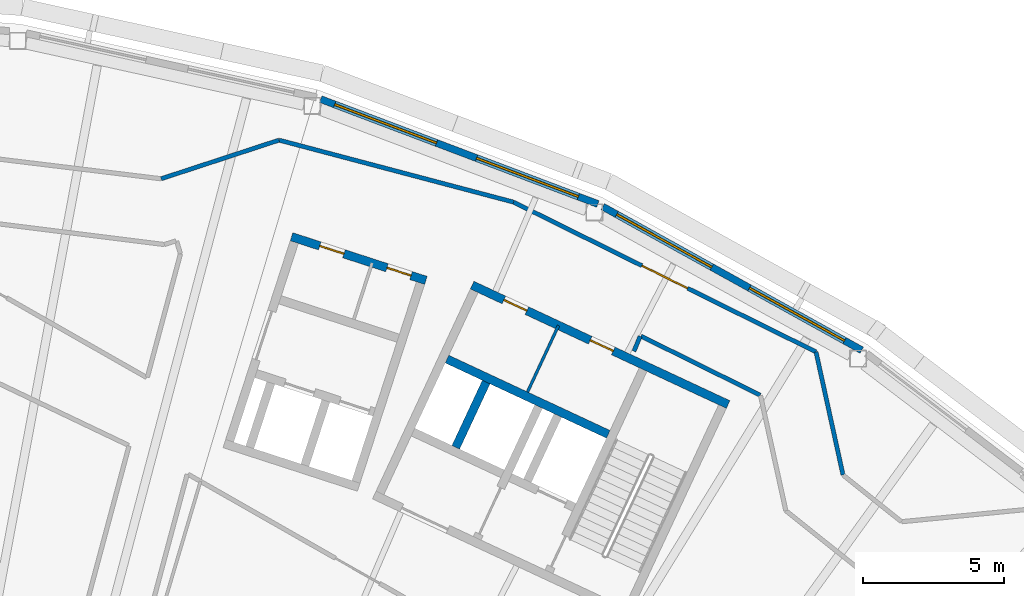
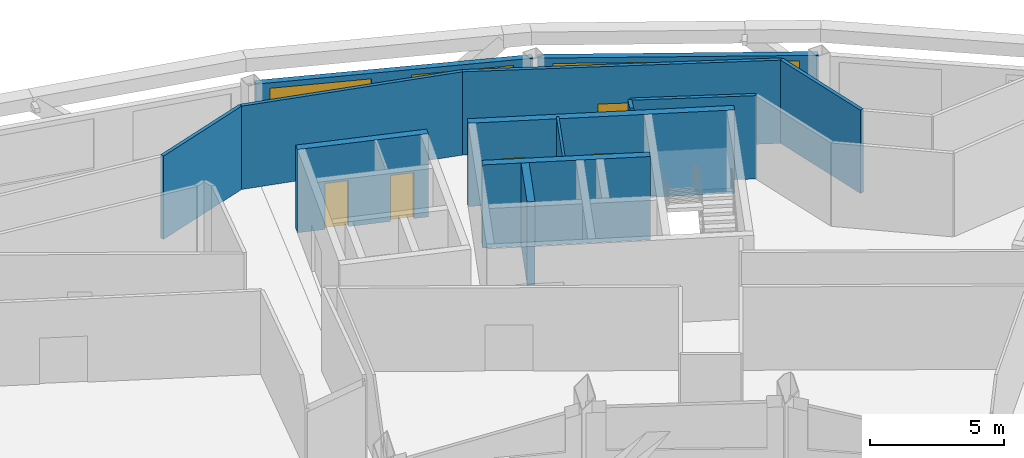
# One storey, part 10 of 17: 13 walls, 5 doors, 4 windows, 9 openings.
"""IFC4 building model written with IfcOpenShell, lengths in metres."""

from ifc_helpers import new_model, si_unit, direction, frame, frame_2d, origin, place, context, subcontext, project, spatial, rectangle, extrude, material, layer, layer_set, type_object, element, fill, save


model = new_model("IFC4")

# Units and contexts
model_context = context("Model", 3, precision=1e-05, world=origin(), true_north=direction((0.0, 1.0)))
body_context = subcontext(model_context, "Body", "Model", "MODEL_VIEW")
ifc_project = project(units=[si_unit("LENGTHUNIT", "METRE"), si_unit("AREAUNIT", "SQUARE_METRE"), si_unit("VOLUMEUNIT", "CUBIC_METRE"), si_unit("PLANEANGLEUNIT", "RADIAN"), si_unit("MASSUNIT", "GRAM", prefix="KILO")], contexts=[model_context])

# Site, building, storey
site_placement = place(None, origin())
site = spatial("IfcSite", under=ifc_project, at=site_placement, CompositionType="ELEMENT")
building_placement = place(site_placement, origin())
building = spatial("IfcBuilding", under=site, at=building_placement, Name="Tuul Gate Civic Tower", CompositionType="ELEMENT")
storey_placement = place(building_placement, frame((0.0, 0.0, 344.89990234375)))
storey = spatial("IfcBuildingStorey", under=building, at=storey_placement, Name="Level 78", CompositionType="ELEMENT", Elevation=344.89990234375)

# Wall
ifc_material_1 = material(Name="Concrete C50/60", Category="concrete")
ifc_layer_1 = layer(ifc_material_1, 0.300048828125)
ifc_layer_set_1 = layer_set([ifc_layer_1], Name="Concrete C50/60")
wall_type_1 = type_object("IfcWallType", Name="Core wall C50/60", PredefinedType="SHEAR", material=ifc_layer_set_1)
wall_1_placement = place(storey_placement, frame((33.75, -0.873779296875, 0.0), z_axis=(0.0, 0.0, 1.0), x_axis=(-0.906300917592, 0.422632992999, 0.0)))
element("IfcWall", 1, at=wall_1_placement, inside=storey, type_object=wall_type_1, Name="Core wall", PredefinedType="SHEAR", context=body_context, shape_type="SweptSolid", body=[
    extrude(rectangle(XDim=6.300048828125, YDim=0.300048828125, at=frame_2d((3.14990234375, 0.0))), origin(), (0.0, 0.0, 1.0), 3.800048828125),
])

# Wall, openings, doors
wall_2_placement = place(storey_placement, frame((37.993408203125, 0.181884765625, 0.0), z_axis=(0.0, 0.0, 1.0), x_axis=(-0.906310338845, 0.422612789327, 0.0)))
wall_2 = element("IfcWall", 2, at=wall_2_placement, inside=storey, type_object=wall_type_1, Name="Core wall", PredefinedType="SHEAR", context=body_context, shape_type="SweptSolid", body=[
    extrude(rectangle(XDim=9.999755859375, YDim=0.300048828125, at=frame_2d((5.0, 0.0))), origin(), (0.0, 0.0, 1.0), 3.800048828125),
])
opening_1_placement = place(wall_2_placement, frame((4.487548828125, 0.0, 0.0)))
opening_1 = element("IfcOpeningElement", 3, at=opening_1_placement, cuts=wall_2, Name="Opening AC-D21", PredefinedType="OPENING", context=body_context, shape_type="SweptSolid", body=[
    extrude(rectangle(XDim=0.89990234375, YDim=2.10009765625, at=frame_2d((0.449951171875, 1.050048828125))), frame((0.0, 0.16015625, 0.0), z_axis=(0.0, -1.0, 0.0), x_axis=(1.0, 0.0, 0.0)), (0.0, 0.0, 1.0), 0.320068359375),
])
opening_2_placement = place(wall_2_placement, frame((7.862548828125, 0.0, 0.0)))
opening_2 = element("IfcOpeningElement", 4, at=opening_2_placement, cuts=wall_2, Name="Opening AC-D22", PredefinedType="OPENING", context=body_context, shape_type="SweptSolid", body=[
    extrude(rectangle(XDim=0.89990234375, YDim=2.10009765625, at=frame_2d((0.449951171875, 1.050048828125))), frame((0.0, 0.16015625, 0.0), z_axis=(0.0, -1.0, 0.0), x_axis=(1.0, 0.0, 0.0)), (0.0, 0.0, 1.0), 0.320068359375),
])
ifc_material_2 = material(Name="Timber door leaf", Category="wood")
door_type_1 = type_object("IfcDoorType", Name="Door D09", OperationType="NOTDEFINED", PredefinedType="DOOR", material=ifc_material_2)
door_1_placement = place(opening_1_placement, origin())
door_1 = element("IfcDoor", 5, at=door_1_placement, inside=storey, type_object=door_type_1, Name="Door AC-D21", OperationType="SINGLE_SWING_LEFT", OverallHeight=2.10009765625, OverallWidth=0.89990234375, PredefinedType="DOOR", context=body_context, shape_type="SweptSolid", body=[
    extrude(rectangle(XDim=0.89990234375, YDim=2.10009765625, at=frame_2d((0.449951171875, 1.050048828125))), frame((0.0, 0.02490234375, 0.0), z_axis=(0.0, -1.0, 0.0), x_axis=(1.0, 0.0, 0.0)), (0.0, 0.0, 1.0), 0.050048828125),
])
fill(opening_1, door_1)
door_2_placement = place(opening_2_placement, origin())
door_2 = element("IfcDoor", 6, at=door_2_placement, inside=storey, type_object=door_type_1, Name="Door AC-D22", OperationType="SINGLE_SWING_RIGHT", OverallHeight=2.10009765625, OverallWidth=0.89990234375, PredefinedType="DOOR", context=body_context, shape_type="SweptSolid", body=[
    extrude(rectangle(XDim=0.89990234375, YDim=2.10009765625, at=frame_2d((0.449951171875, 1.050048828125))), frame((0.0, 0.02490234375, 0.0), z_axis=(0.0, -1.0, 0.0), x_axis=(1.0, 0.0, 0.0)), (0.0, 0.0, 1.0), 0.050048828125),
])
fill(opening_2, door_2)

# Walls
wall_3_placement = place(storey_placement, frame((28.349365234375, -1.33447265625, 0.0), z_axis=(0.0, 0.0, 1.0), x_axis=(0.422612891016, 0.906310291427, 0.0)))
element("IfcWall", 7, at=wall_3_placement, inside=storey, type_object=wall_type_1, Name="Core wall", PredefinedType="SHEAR", context=body_context, shape_type="SweptSolid", body=[
    extrude(rectangle(XDim=2.550048828125, YDim=0.300048828125, at=frame_2d((1.27490234375, 0.0))), origin(), (0.0, 0.0, 1.0), 3.800048828125),
])
ifc_material_3 = material(Name="Gypsum board partition")
ifc_layer_2 = layer(ifc_material_3, 0.14990234375)
ifc_layer_set_2 = layer_set([ifc_layer_2], Name="Gypsum board partition")
wall_type_2 = type_object("IfcWallType", Name="Corridor wall P150", PredefinedType="PARTITIONING", material=ifc_layer_set_2)
wall_4_placement = place(storey_placement, frame((41.104248046875, 2.045166015625, 0.0), z_axis=(0.0, 0.0, 1.0), x_axis=(0.214738530836, -0.976671573956, 0.0)))
element("IfcWall", 8, at=wall_4_placement, inside=storey, type_object=wall_type_2, Name="p010", PredefinedType="PARTITIONING", context=body_context, shape_type="SweptSolid", body=[
    extrude(rectangle(XDim=4.458984375, YDim=0.14990234375, at=frame_2d((2.2294921875, 0.0))), origin(), (0.0, 0.0, 1.0), 3.800048828125),
])

# Wall, opening, door
wall_5_placement = place(storey_placement, frame((30.394775390625, 7.347900390625, 0.0), z_axis=(0.0, 0.0, 1.0), x_axis=(0.896177337952, -0.443696043414, 0.0)))
wall_5 = element("IfcWall", 9, at=wall_5_placement, inside=storey, type_object=wall_type_2, Name="p011", PredefinedType="PARTITIONING", context=body_context, shape_type="SweptSolid", body=[
    extrude(rectangle(XDim=11.94970703125, YDim=0.14990234375, at=frame_2d((5.974853515625, 0.0))), origin(), (0.0, 0.0, 1.0), 3.800048828125),
])
opening_3_placement = place(wall_5_placement, frame((5.07470703125, 0.0, 0.0)))
opening_3 = element("IfcOpeningElement", 10, at=opening_3_placement, cuts=wall_5, Name="Opening AC-D01", PredefinedType="OPENING", context=body_context, shape_type="SweptSolid", body=[
    extrude(rectangle(XDim=1.800048828125, YDim=2.10009765625, at=frame_2d((0.89990234375, 1.050048828125))), frame((0.0, 0.0849609375, 0.0), z_axis=(0.0, -1.0, 0.0), x_axis=(1.0, 0.0, 0.0)), (0.0, 0.0, 1.0), 0.169921875),
])
ifc_material_4 = material(Name="Timber door leaf, double", Category="wood")
door_type_2 = type_object("IfcDoorType", Name="Door D18", OperationType="DOUBLE_DOOR_SINGLE_SWING", PredefinedType="DOOR", material=ifc_material_4)
door_3_placement = place(opening_3_placement, origin())
door_3 = element("IfcDoor", 11, at=door_3_placement, inside=storey, type_object=door_type_2, Name="Door AC-D01", OperationType="DOUBLE_DOOR_SINGLE_SWING", OverallHeight=2.10009765625, OverallWidth=1.800048828125, PredefinedType="DOOR", context=body_context, shape_type="SweptSolid", body=[
    extrude(rectangle(XDim=1.800048828125, YDim=2.10009765625, at=frame_2d((0.89990234375, 1.050048828125))), frame((0.0, 0.02490234375, 0.0), z_axis=(0.0, -1.0, 0.0), x_axis=(1.0, 0.0, 0.0)), (0.0, 0.0, 1.0), 0.050048828125),
])
fill(opening_3, door_3)

# Walls
wall_6_placement = place(storey_placement, frame((22.091796875, 9.543212890625, 0.0), z_axis=(0.0, 0.0, 1.0), x_axis=(0.96678481909, -0.255591693093, 0.0)))
element("IfcWall", 12, at=wall_6_placement, inside=storey, type_object=wall_type_2, Name="p012", PredefinedType="PARTITIONING", context=body_context, shape_type="SweptSolid", body=[
    extrude(rectangle(XDim=8.587158203125, YDim=0.14990234375, at=frame_2d((4.29345703125, 0.0))), origin(), (0.0, 0.0, 1.0), 3.800048828125),
])
wall_7_placement = place(storey_placement, frame((17.9208984375, 8.17578125, 0.0), z_axis=(0.0, 0.0, 1.0), x_axis=(0.950218471042, 0.311584430438, 0.0)))
element("IfcWall", 13, at=wall_7_placement, inside=storey, type_object=wall_type_2, Name="p013", PredefinedType="PARTITIONING", context=body_context, shape_type="SweptSolid", body=[
    extrude(rectangle(XDim=4.388671875, YDim=0.14990234375, at=frame_2d((2.1943359375, 0.0))), origin(), (0.0, 0.0, 1.0), 3.800048828125),
])
wall_8_placement = place(storey_placement, frame((34.659423828125, 2.06787109375, 0.0), z_axis=(0.0, 0.0, 1.0), x_axis=(0.380685118901, 0.924704731386, 0.0)))
element("IfcWall", 14, at=wall_8_placement, inside=storey, type_object=wall_type_2, Name="p080", PredefinedType="PARTITIONING", context=body_context, shape_type="SweptSolid", body=[
    extrude(rectangle(XDim=0.569580078125, YDim=0.14990234375, at=frame_2d((0.28466796875, 0.0))), origin(), (0.0, 0.0, 1.0), 3.800048828125),
])
wall_9_placement = place(storey_placement, frame((34.903564453125, 2.60498046875, 0.0), z_axis=(0.0, 0.0, 1.0), x_axis=(0.896170130976, -0.443710599769, 0.0)))
element("IfcWall", 15, at=wall_9_placement, inside=storey, type_object=wall_type_2, Name="p081", PredefinedType="PARTITIONING", context=body_context, shape_type="SweptSolid", body=[
    extrude(rectangle(XDim=4.716064453125, YDim=0.14990234375, at=frame_2d((2.35791015625, 0.0))), origin(), (0.0, 0.0, 1.0), 3.800048828125),
])

# Wall, openings, windows
ifc_material_5 = material(Name="Precast concrete C40/50", Category="concrete")
ifc_layer_3 = layer(ifc_material_5, 0.25)
ifc_layer_set_3 = layer_set([ifc_layer_3], Name="Precast concrete C40/50")
wall_type_3 = type_object("IfcWallType", Name="External wall", PredefinedType="STANDARD", material=ifc_layer_set_3)
wall_10_placement = place(storey_placement, frame((42.723876953125, 2.10498046875, 0.0), z_axis=(0.0, 0.0, 1.0), x_axis=(-0.874633666585, 0.484784435884, 0.0)))
wall_10 = element("IfcWall", 16, at=wall_10_placement, inside=storey, type_object=wall_type_3, Name="External wall", PredefinedType="STANDARD", context=body_context, shape_type="SweptSolid", body=[
    extrude(rectangle(XDim=10.482177734375, YDim=0.25, at=frame_2d((5.2412109375, 0.0))), origin(), (0.0, 0.0, 1.0), 3.4501953125),
])
opening_4_placement = place(wall_10_placement, frame((0.696044921875, 0.0, 0.89990234375)))
opening_4 = element("IfcOpeningElement", 17, at=opening_4_placement, cuts=wall_10, Name="Opening W22", PredefinedType="OPENING", context=body_context, shape_type="SweptSolid", body=[
    extrude(rectangle(XDim=3.85009765625, YDim=2.300048828125, at=frame_2d((1.925048828125, 1.14990234375))), frame((0.0, 0.135009765625, 0.0), z_axis=(0.0, -1.0, 0.0), x_axis=(1.0, 0.0, 0.0)), (0.0, 0.0, 1.0), 0.27001953125),
])
opening_5_placement = place(wall_10_placement, frame((6.0673828125, 0.0, 0.89990234375)))
opening_5 = element("IfcOpeningElement", 18, at=opening_5_placement, cuts=wall_10, Name="Opening W22", PredefinedType="OPENING", context=body_context, shape_type="SweptSolid", body=[
    extrude(rectangle(XDim=3.85009765625, YDim=2.300048828125, at=frame_2d((1.925048828125, 1.14990234375))), frame((0.0, 0.135009765625, 0.0), z_axis=(0.0, -1.0, 0.0), x_axis=(1.0, 0.0, 0.0)), (0.0, 0.0, 1.0), 0.27001953125),
])
ifc_material_6 = material(Name="Glass", Category="glass")
window_type = type_object("IfcWindowType", Name="Window W22 3850 x 2300", PartitioningType="SINGLE_PANEL", PredefinedType="WINDOW", material=ifc_material_6)
window_1_placement = place(opening_4_placement, origin())
window_1 = element("IfcWindow", 19, at=window_1_placement, inside=storey, type_object=window_type, Name="Window", OverallHeight=2.300048828125, OverallWidth=3.85009765625, PartitioningType="SINGLE_PANEL", PredefinedType="WINDOW", context=body_context, shape_type="SweptSolid", body=[
    extrude(rectangle(XDim=3.85009765625, YDim=2.300048828125, at=frame_2d((1.925048828125, 1.14990234375))), frame((0.0, 0.030029296875, 0.0), z_axis=(0.0, -1.0, 0.0), x_axis=(1.0, 0.0, 0.0)), (0.0, 0.0, 1.0), 0.06005859375),
])
fill(opening_4, window_1)
window_2_placement = place(opening_5_placement, origin())
window_2 = element("IfcWindow", 20, at=window_2_placement, inside=storey, type_object=window_type, Name="Window", OverallHeight=2.300048828125, OverallWidth=3.85009765625, PartitioningType="SINGLE_PANEL", PredefinedType="WINDOW", context=body_context, shape_type="SweptSolid", body=[
    extrude(rectangle(XDim=3.85009765625, YDim=2.300048828125, at=frame_2d((1.925048828125, 1.14990234375))), frame((0.0, 0.030029296875, 0.0), z_axis=(0.0, -1.0, 0.0), x_axis=(1.0, 0.0, 0.0)), (0.0, 0.0, 1.0), 0.06005859375),
])
fill(opening_5, window_2)

wall_11_placement = place(storey_placement, frame((33.3798828125, 7.281982421875, 0.0), z_axis=(0.0, 0.0, 1.0), x_axis=(-0.935341215918, 0.353746815964, 0.0)))
wall_11 = element("IfcWall", 21, at=wall_11_placement, inside=storey, type_object=wall_type_3, Name="External wall", PredefinedType="STANDARD", context=body_context, shape_type="SweptSolid", body=[
    extrude(rectangle(XDim=10.489013671875, YDim=0.25, at=frame_2d((5.24462890625, 0.0))), origin(), (0.0, 0.0, 1.0), 3.4501953125),
])
opening_6_placement = place(wall_11_placement, frame((0.73828125, 0.0, 0.89990234375)))
opening_6 = element("IfcOpeningElement", 22, at=opening_6_placement, cuts=wall_11, Name="Opening W22", PredefinedType="OPENING", context=body_context, shape_type="SweptSolid", body=[
    extrude(rectangle(XDim=3.85009765625, YDim=2.300048828125, at=frame_2d((1.925048828125, 1.14990234375))), frame((0.0, 0.135009765625, 0.0), z_axis=(0.0, -1.0, 0.0), x_axis=(1.0, 0.0, 0.0)), (0.0, 0.0, 1.0), 0.27001953125),
])
opening_7_placement = place(wall_11_placement, frame((6.109619140625, 0.0, 0.89990234375)))
opening_7 = element("IfcOpeningElement", 23, at=opening_7_placement, cuts=wall_11, Name="Opening W22", PredefinedType="OPENING", context=body_context, shape_type="SweptSolid", body=[
    extrude(rectangle(XDim=3.85009765625, YDim=2.300048828125, at=frame_2d((1.925048828125, 1.14990234375))), frame((0.0, 0.135009765625, 0.0), z_axis=(0.0, -1.0, 0.0), x_axis=(1.0, 0.0, 0.0)), (0.0, 0.0, 1.0), 0.27001953125),
])
window_3_placement = place(opening_6_placement, origin())
window_3 = element("IfcWindow", 24, at=window_3_placement, inside=storey, type_object=window_type, Name="Window", OverallHeight=2.300048828125, OverallWidth=3.85009765625, PartitioningType="SINGLE_PANEL", PredefinedType="WINDOW", context=body_context, shape_type="SweptSolid", body=[
    extrude(rectangle(XDim=3.85009765625, YDim=2.300048828125, at=frame_2d((1.925048828125, 1.14990234375))), frame((0.0, 0.030029296875, 0.0), z_axis=(0.0, -1.0, 0.0), x_axis=(1.0, 0.0, 0.0)), (0.0, 0.0, 1.0), 0.06005859375),
])
fill(opening_6, window_3)
window_4_placement = place(opening_7_placement, origin())
window_4 = element("IfcWindow", 25, at=window_4_placement, inside=storey, type_object=window_type, Name="Window", OverallHeight=2.300048828125, OverallWidth=3.85009765625, PartitioningType="SINGLE_PANEL", PredefinedType="WINDOW", context=body_context, shape_type="SweptSolid", body=[
    extrude(rectangle(XDim=3.85009765625, YDim=2.300048828125, at=frame_2d((1.925048828125, 1.14990234375))), frame((0.0, 0.030029296875, 0.0), z_axis=(0.0, -1.0, 0.0), x_axis=(1.0, 0.0, 0.0)), (0.0, 0.0, 1.0), 0.06005859375),
])
fill(opening_7, window_4)

# Wall, openings, doors
ifc_material_7 = material(Name="Concrete C40/50", Category="concrete")
ifc_layer_4 = layer(ifc_material_7, 0.300048828125)
ifc_layer_set_4 = layer_set([ifc_layer_4], Name="Concrete C40/50")
wall_type_4 = type_object("IfcWallType", Name="Lift shaft wall C40/50", PredefinedType="STANDARD", material=ifc_layer_set_4)
wall_12_placement = place(storey_placement, frame((27.29150390625, 4.57666015625, 0.0), z_axis=(0.0, 0.0, 1.0), x_axis=(-0.951067792613, 0.308982287281, 0.0)))
wall_12 = element("IfcWall", 26, at=wall_12_placement, inside=storey, type_object=wall_type_4, Name="Shaft wall", PredefinedType="STANDARD", context=body_context, shape_type="SweptSolid", body=[
    extrude(rectangle(XDim=5.0, YDim=0.300048828125, at=frame_2d((2.5, 0.0))), origin(), (0.0, 0.0, 1.0), 3.800048828125),
])
opening_8_placement = place(wall_12_placement, frame((0.550048828125, 0.0, 0.0)))
opening_8 = element("IfcOpeningElement", 27, at=opening_8_placement, cuts=wall_12, Name="Opening AC-D23", PredefinedType="OPENING", context=body_context, shape_type="SweptSolid", body=[
    extrude(rectangle(XDim=0.89990234375, YDim=2.10009765625, at=frame_2d((0.449951171875, 1.050048828125))), frame((0.0, 0.16015625, 0.0), z_axis=(0.0, -1.0, 0.0), x_axis=(1.0, 0.0, 0.0)), (0.0, 0.0, 1.0), 0.320068359375),
])
opening_9_placement = place(wall_12_placement, frame((3.050048828125, 0.0, 0.0)))
opening_9 = element("IfcOpeningElement", 28, at=opening_9_placement, cuts=wall_12, Name="Opening AC-D24", PredefinedType="OPENING", context=body_context, shape_type="SweptSolid", body=[
    extrude(rectangle(XDim=0.89990234375, YDim=2.10009765625, at=frame_2d((0.449951171875, 1.050048828125))), frame((0.0, 0.16015625, 0.0), z_axis=(0.0, -1.0, 0.0), x_axis=(1.0, 0.0, 0.0)), (0.0, 0.0, 1.0), 0.320068359375),
])
door_4_placement = place(opening_8_placement, origin())
door_4 = element("IfcDoor", 29, at=door_4_placement, inside=storey, type_object=door_type_1, Name="Door AC-D23", OperationType="SINGLE_SWING_LEFT", OverallHeight=2.10009765625, OverallWidth=0.89990234375, PredefinedType="DOOR", context=body_context, shape_type="SweptSolid", body=[
    extrude(rectangle(XDim=0.89990234375, YDim=2.10009765625, at=frame_2d((0.449951171875, 1.050048828125))), frame((0.0, 0.02490234375, 0.0), z_axis=(0.0, -1.0, 0.0), x_axis=(1.0, 0.0, 0.0)), (0.0, 0.0, 1.0), 0.050048828125),
])
fill(opening_8, door_4)
door_5_placement = place(opening_9_placement, origin())
door_5 = element("IfcDoor", 30, at=door_5_placement, inside=storey, type_object=door_type_1, Name="Door AC-D24", OperationType="SINGLE_SWING_RIGHT", OverallHeight=2.10009765625, OverallWidth=0.89990234375, PredefinedType="DOOR", context=body_context, shape_type="SweptSolid", body=[
    extrude(rectangle(XDim=0.89990234375, YDim=2.10009765625, at=frame_2d((0.449951171875, 1.050048828125))), frame((0.0, 0.02490234375, 0.0), z_axis=(0.0, -1.0, 0.0), x_axis=(1.0, 0.0, 0.0)), (0.0, 0.0, 1.0), 0.050048828125),
])
fill(opening_9, door_5)

# Wall
ifc_material_8 = material(Name="Gypsum board partition")
ifc_layer_5 = layer(ifc_material_8, 0.10009765625)
ifc_layer_set_5 = layer_set([ifc_layer_5], Name="Gypsum board partition")
wall_type_5 = type_object("IfcWallType", Name="Partition P100", PredefinedType="PARTITIONING", material=ifc_layer_set_5)
wall_13_placement = place(storey_placement, frame((30.890380859375, 0.625, 0.0), z_axis=(0.0, 0.0, 1.0), x_axis=(0.422597606916, 0.906317418253, 0.0)))
element("IfcWall", 31, at=wall_13_placement, inside=storey, type_object=wall_type_5, Name="bE3-BAND-0", PredefinedType="PARTITIONING", context=body_context, shape_type="SweptSolid", body=[
    extrude(rectangle(XDim=2.600341796875, YDim=0.10009765625, at=frame_2d((1.30029296875, 0.0))), origin(), (0.0, 0.0, 1.0), 3.800048828125),
])

save(model, "model.ifc")
